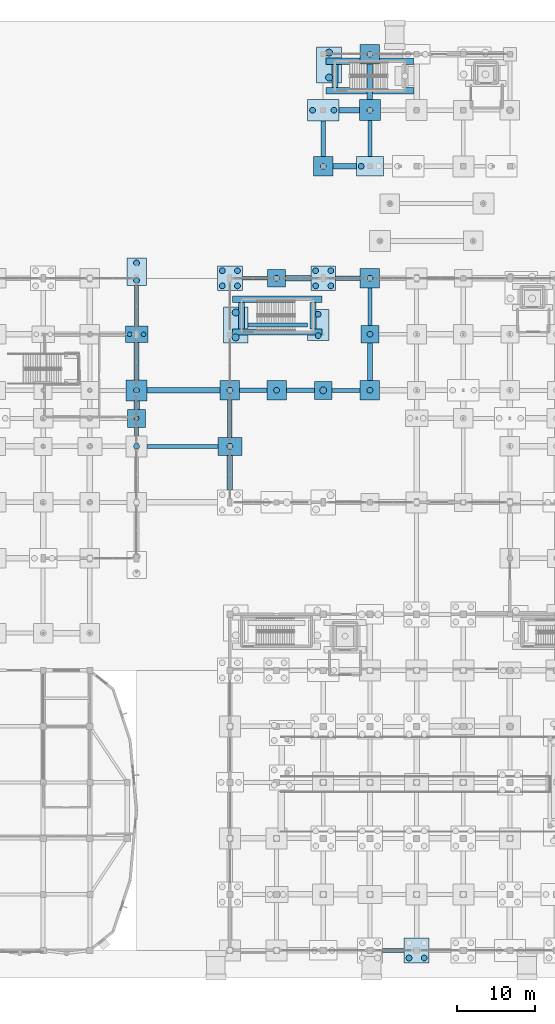
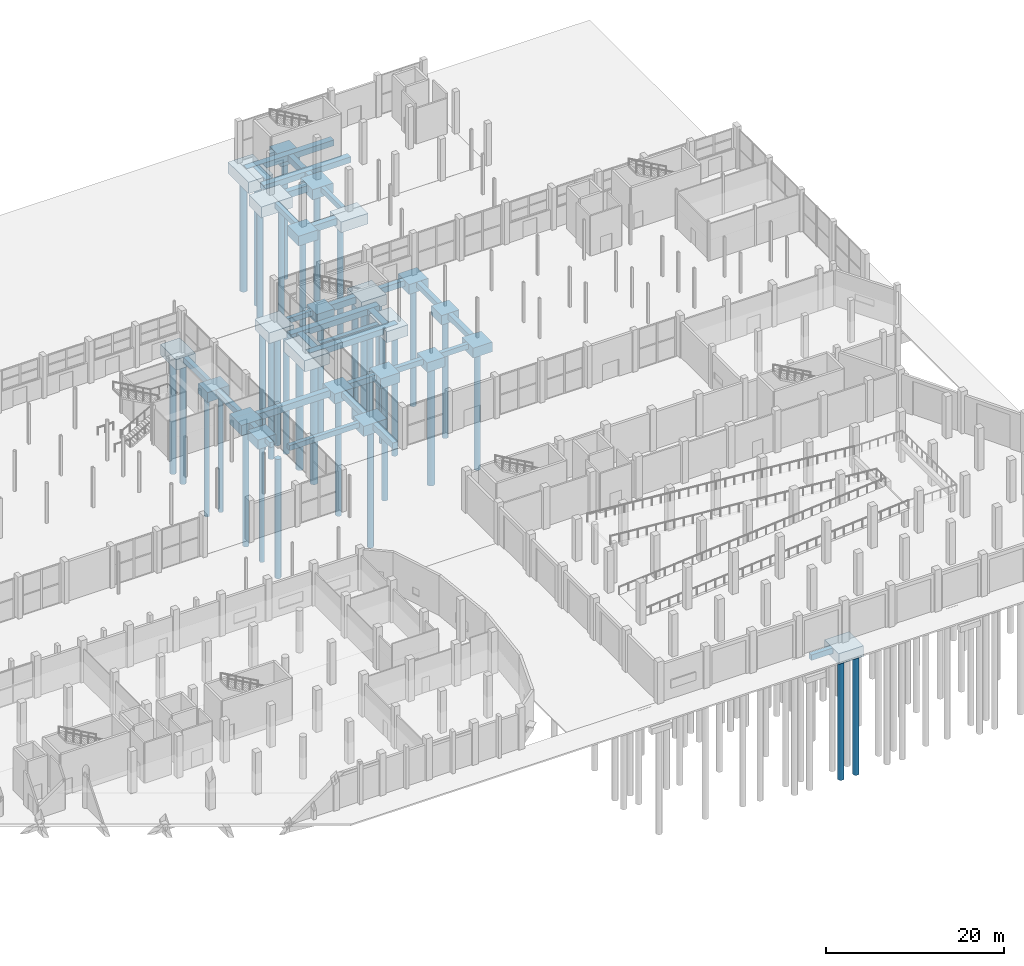
# One storey, part 8 of 103: 53 footings, 37 piles.
"""IFC4 building model written with IfcOpenShell, lengths in metres."""

from ifc_helpers import new_model, si_unit, direction, frame, origin, origin_2d, place, context, subcontext, project, spatial, rectangle, circle, extrude, material, material_profile, profile_set, type_object, element, save


model = new_model("IFC4")

# Units and contexts
model_context = context("Model", 3, precision=1e-05, world=origin(), true_north=direction((0.0, 1.0)))
body_context = subcontext(model_context, "Body", "Model", "MODEL_VIEW")
ifc_project = project(units=[si_unit("LENGTHUNIT", "METRE"), si_unit("AREAUNIT", "SQUARE_METRE"), si_unit("VOLUMEUNIT", "CUBIC_METRE"), si_unit("PLANEANGLEUNIT", "RADIAN"), si_unit("MASSUNIT", "GRAM", prefix="KILO")], contexts=[model_context])

# Site, building, storey
site_placement = place(None, origin())
site = spatial("IfcSite", under=ifc_project, at=site_placement, CompositionType="ELEMENT")
building_placement = place(site_placement, origin())
building = spatial("IfcBuilding", under=site, at=building_placement, Name="Dunvalen Ferry Terminal", CompositionType="ELEMENT")
storey_placement = place(building_placement, origin())
storey = spatial("IfcBuildingStorey", under=building, at=storey_placement, Name="L00", CompositionType="ELEMENT", Elevation=0.0)

# Footings
ifc_material = material(Name="Concrete C40/50", Category="concrete")
ifc_material_profile_1 = material_profile(ifc_material, rectangle(XDim=0.5, YDim=0.699951171875, at=origin_2d()), Name="Concrete C40/50")
ifc_profile_set_1 = profile_set([ifc_material_profile_1], Name="Concrete C40/50")
footing_type_1 = type_object("IfcFootingType", Name="STR-GB-500x700", PredefinedType="FOOTING_BEAM", material=ifc_profile_set_1)
footing_1_placement = place(storey_placement, frame((97.35009765625, 64.800048828125, -0.669921875), z_axis=(1.0, 0.0, 0.0), x_axis=(0.0, 1.0, 0.0)))
element("IfcFooting", 1, at=footing_1_placement, inside=storey, type_object=footing_type_1, Name="L00 Ground Beam X-243", PredefinedType="FOOTING_BEAM", context=body_context, shape_type="SweptSolid", body=[
    extrude(rectangle(XDim=0.5, YDim=0.699951171875, at=origin_2d()), origin(), (0.0, 0.0, 1.0), 9.099853515625),
])
footing_2_placement = place(storey_placement, frame((121.14990234375, 72.0, -0.669921875), z_axis=(1.0, 0.0, 0.0), x_axis=(0.0, 1.0, 0.0)))
element("IfcFooting", 2, at=footing_2_placement, inside=storey, type_object=footing_type_1, Name="L00 Ground Beam X-279", PredefinedType="FOOTING_BEAM", context=body_context, shape_type="SweptSolid", body=[
    extrude(rectangle(XDim=0.5, YDim=0.699951171875, at=origin_2d()), origin(), (0.0, 0.0, 1.0), 3.60009765625),
])
footing_3_placement = place(storey_placement, frame((109.60009765625, 86.39990234375, -0.669921875), z_axis=(1.0, 0.0, 0.0), x_axis=(0.0, 1.0, 0.0)))
element("IfcFooting", 3, at=footing_3_placement, inside=storey, type_object=footing_type_1, Name="L00 Ground Beam X-323", PredefinedType="FOOTING_BEAM", context=body_context, shape_type="SweptSolid", body=[
    extrude(rectangle(XDim=0.5, YDim=0.699951171875, at=origin_2d()), origin(), (0.0, 0.0, 1.0), 3.25),
])
footing_4_placement = place(storey_placement, frame((96.0, 66.14990234375, -0.669921875), z_axis=(0.0, 1.0, 0.0), x_axis=(-1.0, 0.0, 0.0)))
element("IfcFooting", 4, at=footing_4_placement, inside=storey, type_object=footing_type_1, Name="L00 Ground Beam Y-447", PredefinedType="FOOTING_BEAM", context=body_context, shape_type="SweptSolid", body=[
    extrude(rectangle(XDim=0.5, YDim=0.699951171875, at=origin_2d()), origin(), (0.0, 0.0, 1.0), 1.10009765625),
])
footing_5_placement = place(storey_placement, frame((126.0, 102.050048828125, -0.669921875), z_axis=(0.0, 1.0, 0.0), x_axis=(-1.0, 0.0, 0.0)))
element("IfcFooting", 5, at=footing_5_placement, inside=storey, type_object=footing_type_1, Name="L00 Ground Beam Y-475", PredefinedType="FOOTING_BEAM", context=body_context, shape_type="SweptSolid", body=[
    extrude(rectangle(XDim=0.5, YDim=0.699951171875, at=origin_2d()), origin(), (0.0, 0.0, 1.0), 4.599853515625),
])
ifc_material_profile_2 = material_profile(ifc_material, rectangle(XDim=0.550048828125, YDim=0.75, at=origin_2d()), Name="Concrete C40/50")
ifc_profile_set_2 = profile_set([ifc_material_profile_2], Name="Concrete C40/50")
footing_type_2 = type_object("IfcFootingType", Name="STR-GB-550x750", PredefinedType="FOOTING_BEAM", material=ifc_profile_set_2)
footing_6_placement = place(storey_placement, frame((127.60009765625, 0.0, -0.695068359375), z_axis=(1.0, 0.0, 0.0), x_axis=(0.0, 1.0, 0.0)))
element("IfcFooting", 6, at=footing_6_placement, inside=storey, type_object=footing_type_2, Name="L00 Ground Beam X-134", PredefinedType="FOOTING_BEAM", context=body_context, shape_type="SweptSolid", body=[
    extrude(rectangle(XDim=0.550048828125, YDim=0.75, at=origin_2d()), origin(), (0.0, 0.0, 1.0), 2.7998046875),
])
footing_7_placement = place(storey_placement, frame((115.25, 72.0, -0.695068359375), z_axis=(1.0, 0.0, 0.0), x_axis=(0.0, 1.0, 0.0)))
element("IfcFooting", 7, at=footing_7_placement, inside=storey, type_object=footing_type_2, Name="L00 Ground Beam X-278", PredefinedType="FOOTING_BEAM", context=body_context, shape_type="SweptSolid", body=[
    extrude(rectangle(XDim=0.550048828125, YDim=0.75, at=origin_2d()), origin(), (0.0, 0.0, 1.0), 3.60009765625),
])
footing_8_placement = place(storey_placement, frame((110.35009765625, 80.39990234375, -0.695068359375), z_axis=(1.0, 0.0, 0.0), x_axis=(0.0, 1.0, 0.0)))
element("IfcFooting", 8, at=footing_8_placement, inside=storey, type_object=footing_type_2, Name="L00 Ground Beam X-310", PredefinedType="FOOTING_BEAM", context=body_context, shape_type="SweptSolid", body=[
    extrude(rectangle(XDim=0.550048828125, YDim=0.75, at=origin_2d()), origin(), (0.0, 0.0, 1.0), 7.599853515625),
])
footing_9_placement = place(storey_placement, frame((96.0, 80.25, -0.695068359375), z_axis=(0.0, 1.0, 0.0), x_axis=(-1.0, 0.0, 0.0)))
element("IfcFooting", 9, at=footing_9_placement, inside=storey, type_object=footing_type_2, Name="L00 Ground Beam Y-450", PredefinedType="FOOTING_BEAM", context=body_context, shape_type="SweptSolid", body=[
    extrude(rectangle(XDim=0.550048828125, YDim=0.75, at=origin_2d()), origin(), (0.0, 0.0, 1.0), 5.25),
])
footing_10_placement = place(storey_placement, frame((120.0, 102.050048828125, -0.695068359375), z_axis=(0.0, 1.0, 0.0), x_axis=(-1.0, 0.0, 0.0)))
element("IfcFooting", 10, at=footing_10_placement, inside=storey, type_object=footing_type_2, Name="L00 Ground Beam Y-466", PredefinedType="FOOTING_BEAM", context=body_context, shape_type="SweptSolid", body=[
    extrude(rectangle(XDim=0.550048828125, YDim=0.75, at=origin_2d()), origin(), (0.0, 0.0, 1.0), 4.550048828125),
])
footing_11_placement = place(storey_placement, frame((126.0, 80.35009765625, -0.695068359375), z_axis=(0.0, 1.0, 0.0), x_axis=(-1.0, 0.0, 0.0)))
element("IfcFooting", 11, at=footing_11_placement, inside=storey, type_object=footing_type_2, Name="L00 Ground Beam Y-474", PredefinedType="FOOTING_BEAM", context=body_context, shape_type="SweptSolid", body=[
    extrude(rectangle(XDim=0.550048828125, YDim=0.75, at=origin_2d()), origin(), (0.0, 0.0, 1.0), 4.7998046875),
])
ifc_material_profile_3 = material_profile(ifc_material, rectangle(XDim=0.60009765625, YDim=0.800048828125, at=origin_2d()), Name="Concrete C40/50")
ifc_profile_set_3 = profile_set([ifc_material_profile_3], Name="Concrete C40/50")
footing_type_3 = type_object("IfcFootingType", Name="STR-GB-600x800", PredefinedType="FOOTING_BEAM", material=ifc_profile_set_3)
footing_12_placement = place(storey_placement, frame((109.25, 72.0, -0.719970703125), z_axis=(1.0, 0.0, 0.0), x_axis=(0.0, 1.0, 0.0)))
element("IfcFooting", 12, at=footing_12_placement, inside=storey, type_object=footing_type_3, Name="L00 Ground Beam X-277", PredefinedType="FOOTING_BEAM", context=body_context, shape_type="SweptSolid", body=[
    extrude(rectangle(XDim=0.60009765625, YDim=0.800048828125, at=origin_2d()), origin(), (0.0, 0.0, 1.0), 3.5),
])
footing_13_placement = place(storey_placement, frame((121.60009765625, 86.39990234375, -0.719970703125), z_axis=(1.0, 0.0, 0.0), x_axis=(0.0, 1.0, 0.0)))
element("IfcFooting", 13, at=footing_13_placement, inside=storey, type_object=footing_type_3, Name="L00 Ground Beam X-325", PredefinedType="FOOTING_BEAM", context=body_context, shape_type="SweptSolid", body=[
    extrude(rectangle(XDim=0.60009765625, YDim=0.800048828125, at=origin_2d()), origin(), (0.0, 0.0, 1.0), 3.14990234375),
])
footing_14_placement = place(storey_placement, frame((96.0, 73.35009765625, -0.719970703125), z_axis=(0.0, 1.0, 0.0), x_axis=(-1.0, 0.0, 0.0)))
element("IfcFooting", 14, at=footing_14_placement, inside=storey, type_object=footing_type_3, Name="L00 Ground Beam Y-449", PredefinedType="FOOTING_BEAM", context=body_context, shape_type="SweptSolid", body=[
    extrude(rectangle(XDim=0.60009765625, YDim=0.800048828125, at=origin_2d()), origin(), (0.0, 0.0, 1.0), 4.7998046875),
])
for number, where, z_axis, x_axis, name in (
    (15, (108.0, 65.949951171875, -0.719970703125), (0.0, 1.0, 0.0), (-1.0, 0.0, 0.0), "L00 Ground Beam Y-457"),
    (16, (126.0, 73.25, -0.719970703125), (0.0, 1.0, 0.0), (-1.0, 0.0, 0.0), "L00 Ground Beam Y-473"),
):
    element("IfcFooting", number, at=place(storey_placement, frame(where, z_axis=z_axis, x_axis=x_axis)), inside=storey, type_object=footing_type_3, Name=name, PredefinedType="FOOTING_BEAM", context=body_context, shape_type="SweptSolid", body=[
        extrude(rectangle(XDim=0.60009765625, YDim=0.800048828125, at=origin_2d()), origin(), (0.0, 0.0, 1.0), 4.800048828125),
    ])
ifc_material_profile_4 = material_profile(ifc_material, rectangle(XDim=0.699951171875, YDim=0.89990234375, at=origin_2d()), Name="Concrete C40/50")
ifc_profile_set_4 = profile_set([ifc_material_profile_4], Name="Concrete C40/50")
footing_type_4 = type_object("IfcFootingType", Name="STR-GB-700x900", PredefinedType="FOOTING_BEAM", material=ifc_profile_set_4)
footing_15_placement = place(storey_placement, frame((97.35009765625, 72.0, -0.77001953125), z_axis=(1.0, 0.0, 0.0), x_axis=(0.0, 1.0, 0.0)))
element("IfcFooting", 17, at=footing_15_placement, inside=storey, type_object=footing_type_4, Name="L00 Ground Beam X-276", PredefinedType="FOOTING_BEAM", context=body_context, shape_type="SweptSolid", body=[
    extrude(rectangle(XDim=0.699951171875, YDim=0.89990234375, at=origin_2d()), origin(), (0.0, 0.0, 1.0), 9.39990234375),
])
footing_16_placement = place(storey_placement, frame((115.14990234375, 86.39990234375, -0.77001953125), z_axis=(1.0, 0.0, 0.0), x_axis=(0.0, 1.0, 0.0)))
element("IfcFooting", 18, at=footing_16_placement, inside=storey, type_object=footing_type_4, Name="L00 Ground Beam X-324", PredefinedType="FOOTING_BEAM", context=body_context, shape_type="SweptSolid", body=[
    extrude(rectangle(XDim=0.699951171875, YDim=0.89990234375, at=origin_2d()), origin(), (0.0, 0.0, 1.0), 3.25),
])
footing_17_placement = place(storey_placement, frame((121.25, 100.800048828125, -0.77001953125), z_axis=(1.0, 0.0, 0.0), x_axis=(0.0, 1.0, 0.0)))
element("IfcFooting", 19, at=footing_17_placement, inside=storey, type_object=footing_type_4, Name="L00 Ground Beam X-340", PredefinedType="FOOTING_BEAM", context=body_context, shape_type="SweptSolid", body=[
    extrude(rectangle(XDim=0.699951171875, YDim=0.89990234375, at=origin_2d()), origin(), (0.0, 0.0, 1.0), 3.0),
])
footing_18_placement = place(storey_placement, frame((122.0, 108.0, -0.77001953125), z_axis=(1.0, 0.0, 0.0), x_axis=(0.0, 1.0, 0.0)))
element("IfcFooting", 20, at=footing_18_placement, inside=storey, type_object=footing_type_4, Name="L00 Ground Beam X-348", PredefinedType="FOOTING_BEAM", context=body_context, shape_type="SweptSolid", body=[
    extrude(rectangle(XDim=0.699951171875, YDim=0.89990234375, at=origin_2d()), origin(), (0.0, 0.0, 1.0), 2.64990234375),
])
footing_19_placement = place(storey_placement, frame((96.0, 69.550048828125, -0.77001953125), z_axis=(0.0, 1.0, 0.0), x_axis=(-1.0, 0.0, 0.0)))
element("IfcFooting", 21, at=footing_19_placement, inside=storey, type_object=footing_type_4, Name="L00 Ground Beam Y-448", PredefinedType="FOOTING_BEAM", context=body_context, shape_type="SweptSolid", body=[
    extrude(rectangle(XDim=0.699951171875, YDim=0.89990234375, at=origin_2d()), origin(), (0.0, 0.0, 1.0), 1.099853515625),
])
footing_20_placement = place(storey_placement, frame((108.0, 59.199951171875, -0.77001953125), z_axis=(0.0, 1.0, 0.0), x_axis=(-1.0, 0.0, 0.0)))
element("IfcFooting", 22, at=footing_20_placement, inside=storey, type_object=footing_type_4, Name="L00 Ground Beam Y-456", PredefinedType="FOOTING_BEAM", context=body_context, shape_type="SweptSolid", body=[
    extrude(rectangle(XDim=0.699951171875, YDim=0.89990234375, at=origin_2d()), origin(), (0.0, 0.0, 1.0), 4.449951171875),
])
footing_21_placement = place(storey_placement, frame((126.0, 109.35009765625, -0.77001953125), z_axis=(0.0, 1.0, 0.0), x_axis=(-1.0, 0.0, 0.0)))
element("IfcFooting", 23, at=footing_21_placement, inside=storey, type_object=footing_type_4, Name="L00 Ground Beam Y-476", PredefinedType="FOOTING_BEAM", context=body_context, shape_type="SweptSolid", body=[
    extrude(rectangle(XDim=0.699951171875, YDim=0.89990234375, at=origin_2d()), origin(), (0.0, 0.0, 1.0), 4.599853515625),
])
footing_type_5 = type_object("IfcFootingType", Name="STR-PC-04", PredefinedType="PILE_CAP", material=ifc_material)
for number, where, z_axis, x_axis, name in (
    (24, (96.0, 68.39990234375, -1.6201171875), (0.0, 0.0, 1.0), (1.0, 0.0, 0.0), "L00 Pile Cap 132"),
    (25, (114.0, 86.39990234375, -1.6201171875), (0.0, 0.0, 1.0), (1.0, 0.0, 0.0), "L00 Pile Cap 156"),
    (26, (120.0, 72.0, -1.6201171875), (0.0, 0.0, 1.0), (1.0, 0.0, 0.0), "L00 Pile Cap 166"),
    (27, (126.0, 79.199951171875, -1.6201171875), (0.0, 0.0, 1.0), (1.0, 0.0, 0.0), "L00 Pile Cap 181"),
):
    element("IfcFooting", number, at=place(storey_placement, frame(where, z_axis=z_axis, x_axis=x_axis)), inside=storey, type_object=footing_type_5, Name=name, PredefinedType="PILE_CAP", context=body_context, shape_type="SweptSolid", body=[
        extrude(rectangle(XDim=2.300048828125, YDim=2.300048828125, at=origin_2d()), origin(), (0.0, 0.0, 1.0), 1.300048828125),
    ])
footing_type_6 = type_object("IfcFootingType", Name="STR-PC-05", PredefinedType="PILE_CAP", material=ifc_material)
for number, where, z_axis, x_axis, name in (
    (28, (108.0, 72.0, -1.670166015625), (0.0, 0.0, 1.0), (1.0, 0.0, 0.0), "L00 Pile Cap 145"),
    (29, (114.0, 72.0, -1.670166015625), (0.0, 0.0, 1.0), (1.0, 0.0, 0.0), "L00 Pile Cap 155"),
    (30, (120.0, 100.800048828125, -1.670166015625), (0.0, 0.0, 1.0), (1.0, 0.0, 0.0), "L00 Pile Cap 168"),
    (31, (126.0, 72.0, -1.670166015625), (0.0, 0.0, 1.0), (1.0, 0.0, 0.0), "L00 Pile Cap 180"),
    (32, (126.0, 86.39990234375, -1.670166015625), (0.0, 0.0, 1.0), (1.0, 0.0, 0.0), "L00 Pile Cap 182"),
    (33, (126.0, 115.199951171875, -1.670166015625), (0.0, 0.0, 1.0), (1.0, 0.0, 0.0), "L00 Pile Cap 185"),
):
    element("IfcFooting", number, at=place(storey_placement, frame(where, z_axis=z_axis, x_axis=x_axis)), inside=storey, type_object=footing_type_6, Name=name, PredefinedType="PILE_CAP", context=body_context, shape_type="SweptSolid", body=[
        extrude(rectangle(XDim=2.5, YDim=2.5, at=origin_2d()), origin(), (0.0, 0.0, 1.0), 1.35009765625),
    ])
footing_type_7 = type_object("IfcFootingType", Name="STR-PC-06", PredefinedType="PILE_CAP", material=ifc_material)
for number, where, z_axis, x_axis, name in (
    (34, (96.0, 72.0, -1.719970703125), (0.0, 0.0, 1.0), (1.0, 0.0, 0.0), "L00 Pile Cap 133"),
    (35, (126.0, 108.0, -1.719970703125), (0.0, 0.0, 1.0), (1.0, 0.0, 0.0), "L00 Pile Cap 184"),
):
    element("IfcFooting", number, at=place(storey_placement, frame(where, z_axis=z_axis, x_axis=x_axis)), inside=storey, type_object=footing_type_7, Name=name, PredefinedType="PILE_CAP", context=body_context, shape_type="SweptSolid", body=[
        extrude(rectangle(XDim=2.699951171875, YDim=2.699951171875, at=origin_2d()), origin(), (0.0, 0.0, 1.0), 1.39990234375),
    ])
footing_type_8 = type_object("IfcFootingType", Name="STR-PC-07", PredefinedType="PILE_CAP", material=ifc_material)
footing_22_placement = place(storey_placement, frame((96.0, 79.199951171875, -1.670166015625), z_axis=(0.0, 0.0, 1.0), x_axis=(1.0, 0.0, 0.0)))
element("IfcFooting", 36, at=footing_22_placement, inside=storey, type_object=footing_type_8, Name="L00 Pile Cap 134", PredefinedType="PILE_CAP", context=body_context, shape_type="SweptSolid", body=[
    extrude(rectangle(XDim=2.89990234375, YDim=2.10009765625, at=origin_2d()), origin(), (0.0, 0.0, 1.0), 1.35009765625),
])
footing_type_9 = type_object("IfcFootingType", Name="STR-PC-08", PredefinedType="PILE_CAP", material=ifc_material)
footing_23_placement = place(storey_placement, frame((108.0, 64.800048828125, -1.719970703125), z_axis=(0.0, 0.0, 1.0), x_axis=(1.0, 0.0, 0.0)))
element("IfcFooting", 37, at=footing_23_placement, inside=storey, type_object=footing_type_9, Name="L00 Pile Cap 144", PredefinedType="PILE_CAP", context=body_context, shape_type="SweptSolid", body=[
    extrude(rectangle(XDim=3.10009765625, YDim=2.300048828125, at=origin_2d()), origin(), (0.0, 0.0, 1.0), 1.39990234375),
])
footing_type_10 = type_object("IfcFootingType", Name="STR-PC-09", PredefinedType="PILE_CAP", material=ifc_material)
for number, where, z_axis, x_axis, name in (
    (38, (108.0, 86.39990234375, -1.77001953125), (0.0, 0.0, 1.0), (1.0, 0.0, 0.0), "L00 Pile Cap 147"),
    (39, (120.0, 86.39990234375, -1.77001953125), (0.0, 0.0, 1.0), (1.0, 0.0, 0.0), "L00 Pile Cap 167"),
    (40, (132.0, 0.0, -1.77001953125), (0.0, 0.0, 1.0), (1.0, 0.0, 0.0), "L00 Pile Cap 190"),
):
    element("IfcFooting", number, at=place(storey_placement, frame(where, z_axis=z_axis, x_axis=x_axis)), inside=storey, type_object=footing_type_10, Name=name, PredefinedType="PILE_CAP", context=body_context, shape_type="SweptSolid", body=[
        extrude(rectangle(XDim=3.199951171875, YDim=3.199951171875, at=origin_2d()), origin(), (0.0, 0.0, 1.0), 1.449951171875),
    ])
footing_type_11 = type_object("IfcFootingType", Name="STR-PC-10", PredefinedType="PILE_CAP", material=ifc_material)
for number, where, z_axis, x_axis, name in (
    (41, (96.0, 87.25, -1.77001953125), (0.0, 0.0, 1.0), (0.0, 1.0, 0.0), "L00 Pile Cap 135"),
    (42, (126.0, 100.800048828125, -1.77001953125), (0.0, 0.0, 1.0), (1.0, 0.0, 0.0), "L00 Pile Cap 183"),
):
    element("IfcFooting", number, at=place(storey_placement, frame(where, z_axis=z_axis, x_axis=x_axis)), inside=storey, type_object=footing_type_11, Name=name, PredefinedType="PILE_CAP", context=body_context, shape_type="SweptSolid", body=[
        extrude(rectangle(XDim=3.5, YDim=2.5, at=origin_2d()), origin(), (0.0, 0.0, 1.0), 1.449951171875),
    ])
footing_type_12 = type_object("IfcFootingType", Name="STR-PC-12", PredefinedType="PILE_CAP", material=ifc_material)
for number, where, z_axis, x_axis, name in (
    (43, (119.35009765625, 80.39990234375, -1.820068359375), (0.0, 0.0, 1.0), (0.0, 1.0, 0.0), "L00 Pile Cap 158"),
    (44, (120.0, 108.0, -1.820068359375), (0.0, 0.0, 1.0), (1.0, 0.0, 0.0), "L00 Pile Cap 169"),
):
    element("IfcFooting", number, at=place(storey_placement, frame(where, z_axis=z_axis, x_axis=x_axis)), inside=storey, type_object=footing_type_12, Name=name, PredefinedType="PILE_CAP", context=body_context, shape_type="SweptSolid", body=[
        extrude(rectangle(XDim=4.0, YDim=2.800048828125, at=origin_2d()), origin(), (0.0, 0.0, 1.0), 1.5),
    ])
footing_type_13 = type_object("IfcFootingType", Name="STR-PC-14", PredefinedType="PILE_CAP", material=ifc_material)
for number, where, z_axis, x_axis, name in (
    (45, (108.75, 80.39990234375, -1.8701171875), (0.0, 0.0, 1.0), (0.0, 1.0, 0.0), "L00 Pile Cap 146"),
    (46, (120.75, 113.800048828125, -1.8701171875), (0.0, 0.0, 1.0), (0.0, 1.0, 0.0), "L00 Pile Cap 170"),
):
    element("IfcFooting", number, at=place(storey_placement, frame(where, z_axis=z_axis, x_axis=x_axis)), inside=storey, type_object=footing_type_13, Name=name, PredefinedType="PILE_CAP", context=body_context, shape_type="SweptSolid", body=[
        extrude(rectangle(XDim=4.60009765625, YDim=3.199951171875, at=origin_2d()), origin(), (0.0, 0.0, 1.0), 1.550048828125),
    ])

# Piles
ifc_material_profile_5 = material_profile(ifc_material, circle(Radius=0.300048828125, at=origin_2d()), Name="Concrete C40/50")
ifc_profile_set_5 = profile_set([ifc_material_profile_5], Name="Concrete C40/50")
pile_type_1 = type_object("IfcPileType", Name="STR-PILE-P600", PredefinedType="BORED", material=ifc_profile_set_5)
pile_1_placement = place(storey_placement, frame((96.0, 68.39990234375, -1.52001953125), z_axis=(0.0, 0.0, -1.0), x_axis=(1.0, 0.0, 0.0)))
element("IfcPile", 47, at=pile_1_placement, inside=storey, type_object=pile_type_1, Name="L00 Bored Pile 132.1", PredefinedType="BORED", context=body_context, shape_type="SweptSolid", body=[
    extrude(circle(Radius=0.300048828125, at=origin_2d()), origin(), (0.0, 0.0, 1.0), 16.47998046875),
])
for number, where, z_axis, x_axis, name in (
    (48, (95.10009765625, 79.199951171875, -1.570068359375), (0.0, 0.0, -1.0), (1.0, 0.0, 0.0), "L00 Bored Pile 134.1"),
    (49, (96.89990234375, 79.199951171875, -1.570068359375), (0.0, 0.0, -1.0), (1.0, 0.0, 0.0), "L00 Bored Pile 134.2"),
):
    element("IfcPile", number, at=place(storey_placement, frame(where, z_axis=z_axis, x_axis=x_axis)), inside=storey, type_object=pile_type_1, Name=name, PredefinedType="BORED", context=body_context, shape_type="SweptSolid", body=[
        extrude(circle(Radius=0.300048828125, at=origin_2d()), origin(), (0.0, 0.0, 1.0), 16.429931640625),
    ])
ifc_material_profile_6 = material_profile(ifc_material, circle(Radius=0.375, at=origin_2d()), Name="Concrete C40/50")
ifc_profile_set_6 = profile_set([ifc_material_profile_6], Name="Concrete C40/50")
pile_type_2 = type_object("IfcPileType", Name="STR-PILE-P750", PredefinedType="BORED", material=ifc_profile_set_6)
for number, where, z_axis, x_axis, name in (
    (50, (96.0, 64.800048828125, -1.6201171875), (0.0, 0.0, -1.0), (1.0, 0.0, 0.0), "L00 Bored Pile 131.1"),
    (51, (96.0, 72.0, -1.6201171875), (0.0, 0.0, -1.0), (1.0, 0.0, 0.0), "L00 Bored Pile 133.1"),
):
    element("IfcPile", number, at=place(storey_placement, frame(where, z_axis=z_axis, x_axis=x_axis)), inside=storey, type_object=pile_type_2, Name=name, PredefinedType="BORED", context=body_context, shape_type="SweptSolid", body=[
        extrude(circle(Radius=0.375, at=origin_2d()), origin(), (0.0, 0.0, 1.0), 16.3798828125),
    ])
for number, where, z_axis, x_axis, name in (
    (52, (96.0, 86.125, -1.669921875), (0.0, 0.0, -1.0), (1.0, 0.0, 0.0), "L00 Bored Pile 135.1"),
    (53, (96.0, 88.375, -1.669921875), (0.0, 0.0, -1.0), (1.0, 0.0, 0.0), "L00 Bored Pile 135.2"),
):
    element("IfcPile", number, at=place(storey_placement, frame(where, z_axis=z_axis, x_axis=x_axis)), inside=storey, type_object=pile_type_2, Name=name, PredefinedType="BORED", context=body_context, shape_type="SweptSolid", body=[
        extrude(circle(Radius=0.375, at=origin_2d()), origin(), (0.0, 0.0, 1.0), 16.330078125),
    ])
pile_2_placement = place(storey_placement, frame((108.0, 64.800048828125, -1.6201171875), z_axis=(0.0, 0.0, -1.0), x_axis=(1.0, 0.0, 0.0)))
element("IfcPile", 54, at=pile_2_placement, inside=storey, type_object=pile_type_2, Name="L00 Bored Pile 144.1", PredefinedType="BORED", context=body_context, shape_type="SweptSolid", body=[
    extrude(circle(Radius=0.375, at=origin_2d()), origin(), (0.0, 0.0, 1.0), 16.3798828125),
])
pile_3_placement = place(storey_placement, frame((108.0, 72.0, -1.570068359375), z_axis=(0.0, 0.0, -1.0), x_axis=(1.0, 0.0, 0.0)))
element("IfcPile", 55, at=pile_3_placement, inside=storey, type_object=pile_type_2, Name="L00 Bored Pile 145.1", PredefinedType="BORED", context=body_context, shape_type="SweptSolid", body=[
    extrude(circle(Radius=0.375, at=origin_2d()), origin(), (0.0, 0.0, 1.0), 16.429931640625),
])
for number, where, z_axis, x_axis, name in (
    (56, (107.02490234375, 85.425048828125, -1.669921875), (0.0, 0.0, -1.0), (1.0, 0.0, 0.0), "L00 Bored Pile 147.1"),
    (57, (108.97509765625, 85.425048828125, -1.669921875), (0.0, 0.0, -1.0), (1.0, 0.0, 0.0), "L00 Bored Pile 147.2"),
    (58, (107.02490234375, 87.375, -1.669921875), (0.0, 0.0, -1.0), (1.0, 0.0, 0.0), "L00 Bored Pile 147.3"),
    (59, (108.97509765625, 87.375, -1.669921875), (0.0, 0.0, -1.0), (1.0, 0.0, 0.0), "L00 Bored Pile 147.4"),
):
    element("IfcPile", number, at=place(storey_placement, frame(where, z_axis=z_axis, x_axis=x_axis)), inside=storey, type_object=pile_type_2, Name=name, PredefinedType="BORED", context=body_context, shape_type="SweptSolid", body=[
        extrude(circle(Radius=0.375, at=origin_2d()), origin(), (0.0, 0.0, 1.0), 16.330078125),
    ])
pile_4_placement = place(storey_placement, frame((114.0, 72.0, -1.570068359375), z_axis=(0.0, 0.0, -1.0), x_axis=(1.0, 0.0, 0.0)))
element("IfcPile", 60, at=pile_4_placement, inside=storey, type_object=pile_type_2, Name="L00 Bored Pile 155.1", PredefinedType="BORED", context=body_context, shape_type="SweptSolid", body=[
    extrude(circle(Radius=0.375, at=origin_2d()), origin(), (0.0, 0.0, 1.0), 16.429931640625),
])
pile_5_placement = place(storey_placement, frame((114.0, 86.39990234375, -1.52001953125), z_axis=(0.0, 0.0, -1.0), x_axis=(1.0, 0.0, 0.0)))
element("IfcPile", 61, at=pile_5_placement, inside=storey, type_object=pile_type_2, Name="L00 Bored Pile 156.1", PredefinedType="BORED", context=body_context, shape_type="SweptSolid", body=[
    extrude(circle(Radius=0.375, at=origin_2d()), origin(), (0.0, 0.0, 1.0), 16.47998046875),
])
for number, where, z_axis, x_axis, name in (
    (62, (119.35009765625, 79.02490234375, -1.719970703125), (0.0, 0.0, -1.0), (1.0, 0.0, 0.0), "L00 Bored Pile 158.1"),
    (63, (119.35009765625, 81.77490234375, -1.719970703125), (0.0, 0.0, -1.0), (1.0, 0.0, 0.0), "L00 Bored Pile 158.2"),
):
    element("IfcPile", number, at=place(storey_placement, frame(where, z_axis=z_axis, x_axis=x_axis)), inside=storey, type_object=pile_type_2, Name=name, PredefinedType="BORED", context=body_context, shape_type="SweptSolid", body=[
        extrude(circle(Radius=0.375, at=origin_2d()), origin(), (0.0, 0.0, 1.0), 16.280029296875),
    ])
for number, where, z_axis, x_axis, name in (
    (64, (119.02490234375, 85.425048828125, -1.669921875), (0.0, 0.0, -1.0), (1.0, 0.0, 0.0), "L00 Bored Pile 167.1"),
    (65, (120.97509765625, 85.425048828125, -1.669921875), (0.0, 0.0, -1.0), (1.0, 0.0, 0.0), "L00 Bored Pile 167.2"),
    (66, (119.02490234375, 87.375, -1.669921875), (0.0, 0.0, -1.0), (1.0, 0.0, 0.0), "L00 Bored Pile 167.3"),
    (67, (120.97509765625, 87.375, -1.669921875), (0.0, 0.0, -1.0), (1.0, 0.0, 0.0), "L00 Bored Pile 167.4"),
):
    element("IfcPile", number, at=place(storey_placement, frame(where, z_axis=z_axis, x_axis=x_axis)), inside=storey, type_object=pile_type_2, Name=name, PredefinedType="BORED", context=body_context, shape_type="SweptSolid", body=[
        extrude(circle(Radius=0.375, at=origin_2d()), origin(), (0.0, 0.0, 1.0), 16.330078125),
    ])
pile_6_placement = place(storey_placement, frame((120.0, 100.800048828125, -1.570068359375), z_axis=(0.0, 0.0, -1.0), x_axis=(1.0, 0.0, 0.0)))
element("IfcPile", 68, at=pile_6_placement, inside=storey, type_object=pile_type_2, Name="L00 Bored Pile 168.1", PredefinedType="BORED", context=body_context, shape_type="SweptSolid", body=[
    extrude(circle(Radius=0.375, at=origin_2d()), origin(), (0.0, 0.0, 1.0), 16.429931640625),
])
for number, where, z_axis, x_axis, name in (
    (69, (118.625, 108.0, -1.719970703125), (0.0, 0.0, -1.0), (1.0, 0.0, 0.0), "L00 Bored Pile 169.1"),
    (70, (121.375, 108.0, -1.719970703125), (0.0, 0.0, -1.0), (1.0, 0.0, 0.0), "L00 Bored Pile 169.2"),
):
    element("IfcPile", number, at=place(storey_placement, frame(where, z_axis=z_axis, x_axis=x_axis)), inside=storey, type_object=pile_type_2, Name=name, PredefinedType="BORED", context=body_context, shape_type="SweptSolid", body=[
        extrude(circle(Radius=0.375, at=origin_2d()), origin(), (0.0, 0.0, 1.0), 16.280029296875),
    ])
pile_7_placement = place(storey_placement, frame((126.0, 72.0, -1.570068359375), z_axis=(0.0, 0.0, -1.0), x_axis=(1.0, 0.0, 0.0)))
element("IfcPile", 71, at=pile_7_placement, inside=storey, type_object=pile_type_2, Name="L00 Bored Pile 180.1", PredefinedType="BORED", context=body_context, shape_type="SweptSolid", body=[
    extrude(circle(Radius=0.375, at=origin_2d()), origin(), (0.0, 0.0, 1.0), 16.429931640625),
])
pile_8_placement = place(storey_placement, frame((126.0, 79.199951171875, -1.52001953125), z_axis=(0.0, 0.0, -1.0), x_axis=(1.0, 0.0, 0.0)))
element("IfcPile", 72, at=pile_8_placement, inside=storey, type_object=pile_type_2, Name="L00 Bored Pile 181.1", PredefinedType="BORED", context=body_context, shape_type="SweptSolid", body=[
    extrude(circle(Radius=0.375, at=origin_2d()), origin(), (0.0, 0.0, 1.0), 16.47998046875),
])
pile_9_placement = place(storey_placement, frame((126.0, 86.39990234375, -1.570068359375), z_axis=(0.0, 0.0, -1.0), x_axis=(1.0, 0.0, 0.0)))
element("IfcPile", 73, at=pile_9_placement, inside=storey, type_object=pile_type_2, Name="L00 Bored Pile 182.1", PredefinedType="BORED", context=body_context, shape_type="SweptSolid", body=[
    extrude(circle(Radius=0.375, at=origin_2d()), origin(), (0.0, 0.0, 1.0), 16.429931640625),
])
pile_10_placement = place(storey_placement, frame((124.875, 100.800048828125, -1.669921875), z_axis=(0.0, 0.0, -1.0), x_axis=(1.0, 0.0, 0.0)))
element("IfcPile", 74, at=pile_10_placement, inside=storey, type_object=pile_type_2, Name="L00 Bored Pile 183.1", PredefinedType="BORED", context=body_context, shape_type="SweptSolid", body=[
    extrude(circle(Radius=0.375, at=origin_2d()), origin(), (0.0, 0.0, 1.0), 16.330078125),
])
pile_11_placement = place(storey_placement, frame((126.0, 108.0, -1.6201171875), z_axis=(0.0, 0.0, -1.0), x_axis=(1.0, 0.0, 0.0)))
element("IfcPile", 75, at=pile_11_placement, inside=storey, type_object=pile_type_2, Name="L00 Bored Pile 184.1", PredefinedType="BORED", context=body_context, shape_type="SweptSolid", body=[
    extrude(circle(Radius=0.375, at=origin_2d()), origin(), (0.0, 0.0, 1.0), 16.3798828125),
])
pile_12_placement = place(storey_placement, frame((126.0, 115.199951171875, -1.570068359375), z_axis=(0.0, 0.0, -1.0), x_axis=(1.0, 0.0, 0.0)))
element("IfcPile", 76, at=pile_12_placement, inside=storey, type_object=pile_type_2, Name="L00 Bored Pile 185.1", PredefinedType="BORED", context=body_context, shape_type="SweptSolid", body=[
    extrude(circle(Radius=0.375, at=origin_2d()), origin(), (0.0, 0.0, 1.0), 16.429931640625),
])
for number, where, z_axis, x_axis, name in (
    (77, (131.02490234375, -0.97509765625, -1.669921875), (0.0, 0.0, -1.0), (1.0, 0.0, 0.0), "L00 Bored Pile 190.1"),
    (78, (132.97509765625, -0.97509765625, -1.669921875), (0.0, 0.0, -1.0), (1.0, 0.0, 0.0), "L00 Bored Pile 190.2"),
):
    element("IfcPile", number, at=place(storey_placement, frame(where, z_axis=z_axis, x_axis=x_axis)), inside=storey, type_object=pile_type_2, Name=name, PredefinedType="BORED", context=body_context, shape_type="SweptSolid", body=[
        extrude(circle(Radius=0.375, at=origin_2d()), origin(), (0.0, 0.0, 1.0), 16.330078125),
    ])
ifc_material_profile_7 = material_profile(ifc_material, circle(Radius=0.449951171875, at=origin_2d()), Name="Concrete C40/50")
ifc_profile_set_7 = profile_set([ifc_material_profile_7], Name="Concrete C40/50")
pile_type_3 = type_object("IfcPileType", Name="STR-PILE-P900", PredefinedType="BORED", material=ifc_profile_set_7)
for number, where, z_axis, x_axis, name in (
    (79, (108.75, 78.800048828125, -1.77001953125), (0.0, 0.0, -1.0), (1.0, 0.0, 0.0), "L00 Bored Pile 146.1"),
    (80, (108.75, 82.0, -1.77001953125), (0.0, 0.0, -1.0), (1.0, 0.0, 0.0), "L00 Bored Pile 146.2"),
):
    element("IfcPile", number, at=place(storey_placement, frame(where, z_axis=z_axis, x_axis=x_axis)), inside=storey, type_object=pile_type_3, Name=name, PredefinedType="BORED", context=body_context, shape_type="SweptSolid", body=[
        extrude(circle(Radius=0.449951171875, at=origin_2d()), origin(), (0.0, 0.0, 1.0), 16.22998046875),
    ])
pile_13_placement = place(storey_placement, frame((120.0, 72.0, -1.52001953125), z_axis=(0.0, 0.0, -1.0), x_axis=(1.0, 0.0, 0.0)))
element("IfcPile", 81, at=pile_13_placement, inside=storey, type_object=pile_type_3, Name="L00 Bored Pile 166.1", PredefinedType="BORED", context=body_context, shape_type="SweptSolid", body=[
    extrude(circle(Radius=0.449951171875, at=origin_2d()), origin(), (0.0, 0.0, 1.0), 16.47998046875),
])
for number, where, z_axis, x_axis, name in (
    (82, (120.75, 112.199951171875, -1.77001953125), (0.0, 0.0, -1.0), (1.0, 0.0, 0.0), "L00 Bored Pile 170.1"),
    (83, (120.75, 115.39990234375, -1.77001953125), (0.0, 0.0, -1.0), (1.0, 0.0, 0.0), "L00 Bored Pile 170.2"),
):
    element("IfcPile", number, at=place(storey_placement, frame(where, z_axis=z_axis, x_axis=x_axis)), inside=storey, type_object=pile_type_3, Name=name, PredefinedType="BORED", context=body_context, shape_type="SweptSolid", body=[
        extrude(circle(Radius=0.449951171875, at=origin_2d()), origin(), (0.0, 0.0, 1.0), 16.22998046875),
    ])

# Footings
ifc_material_profile_8 = material_profile(ifc_material, rectangle(XDim=0.800048828125, YDim=0.800048828125, at=origin_2d()), Name="Concrete C40/50")
ifc_profile_set_8 = profile_set([ifc_material_profile_8], Name="Concrete C40/50")
footing_type_14 = type_object("IfcFootingType", Name="STR-SF-800x800", PredefinedType="STRIP_FOOTING", material=ifc_profile_set_8)
for number, where, z_axis, x_axis, name in (
    (84, (109.5, 79.909912109375, -0.719970703125), (0.0, 1.0, 0.0), (-1.0, 0.0, 0.0), "L00 ST10 Core West Strip Footing"),
    (85, (118.699951171875, 79.909912109375, -0.719970703125), (0.0, 1.0, 0.0), (-1.0, 0.0, 0.0), "L00 ST10 Core East Strip Footing"),
):
    element("IfcFooting", number, at=place(storey_placement, frame(where, z_axis=z_axis, x_axis=x_axis)), inside=storey, type_object=footing_type_14, Name=name, PredefinedType="STRIP_FOOTING", context=body_context, shape_type="SweptSolid", body=[
        extrude(rectangle(XDim=0.800048828125, YDim=0.800048828125, at=origin_2d()), origin(), (0.0, 0.0, 1.0), 3.380126953125),
    ])
for number, where, z_axis, x_axis, name in (
    (86, (108.35009765625, 83.699951171875, -0.719970703125), (1.0, 0.0, 0.0), (0.0, 1.0, 0.0), "L00 ST10 Core North Strip Footing"),
    (87, (108.35009765625, 79.5, -0.719970703125), (1.0, 0.0, 0.0), (0.0, 1.0, 0.0), "L00 ST10 Core South Strip Footing"),
):
    element("IfcFooting", number, at=place(storey_placement, frame(where, z_axis=z_axis, x_axis=x_axis)), inside=storey, type_object=footing_type_14, Name=name, PredefinedType="STRIP_FOOTING", context=body_context, shape_type="SweptSolid", body=[
        extrude(rectangle(XDim=0.800048828125, YDim=0.800048828125, at=origin_2d()), origin(), (0.0, 0.0, 1.0), 11.5),
    ])
footing_24_placement = place(storey_placement, frame((121.5, 110.909912109375, -0.719970703125), z_axis=(0.0, 1.0, 0.0), x_axis=(-1.0, 0.0, 0.0)))
element("IfcFooting", 88, at=footing_24_placement, inside=storey, type_object=footing_type_14, Name="L00 ST12 Core West Strip Footing", PredefinedType="STRIP_FOOTING", context=body_context, shape_type="SweptSolid", body=[
    extrude(rectangle(XDim=0.800048828125, YDim=0.800048828125, at=origin_2d()), origin(), (0.0, 0.0, 1.0), 2.97998046875),
])
for number, where, z_axis, x_axis, name in (
    (89, (120.35009765625, 114.300048828125, -0.719970703125), (1.0, 0.0, 0.0), (0.0, 1.0, 0.0), "L00 ST12 Core North Strip Footing"),
    (90, (120.35009765625, 110.5, -0.719970703125), (1.0, 0.0, 0.0), (0.0, 1.0, 0.0), "L00 ST12 Core South Strip Footing"),
):
    element("IfcFooting", number, at=place(storey_placement, frame(where, z_axis=z_axis, x_axis=x_axis)), inside=storey, type_object=footing_type_14, Name=name, PredefinedType="STRIP_FOOTING", context=body_context, shape_type="SweptSolid", body=[
        extrude(rectangle(XDim=0.800048828125, YDim=0.800048828125, at=origin_2d()), origin(), (0.0, 0.0, 1.0), 11.2998046875),
    ])

save(model, "model.ifc")
